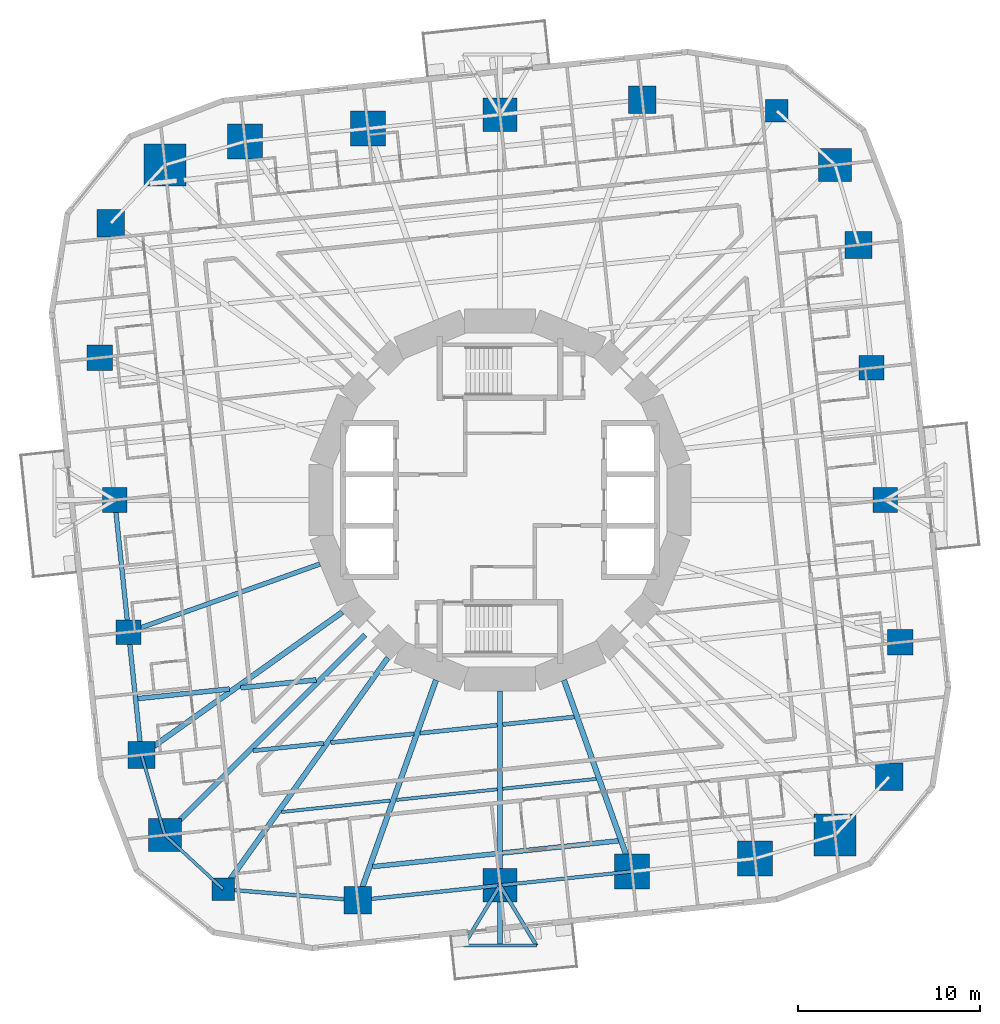
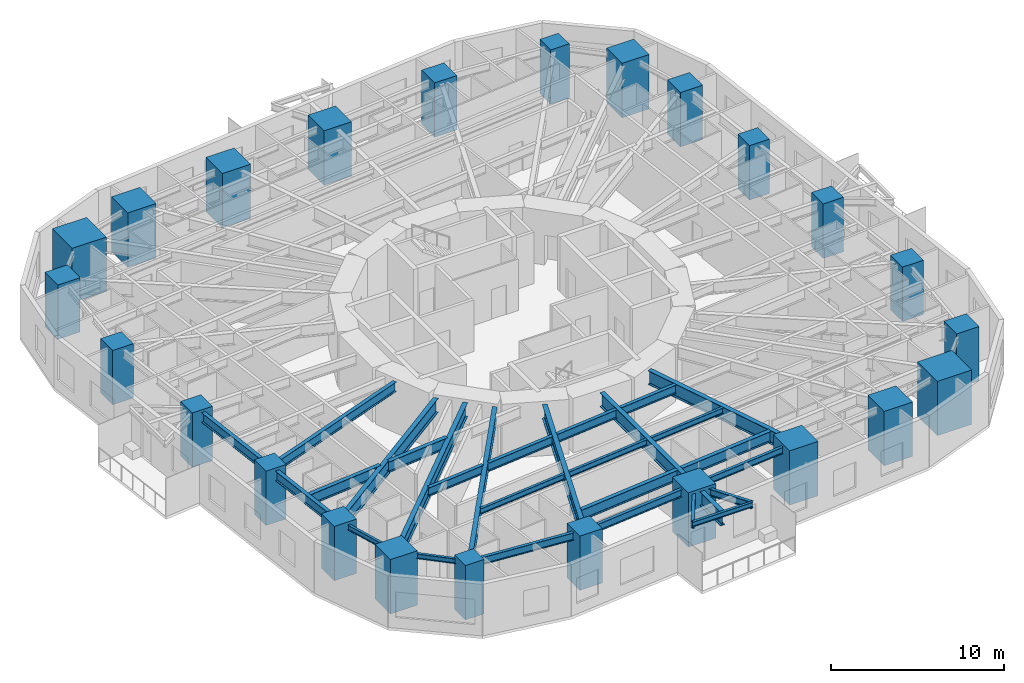
# One storey, part 1 of 15: 28 beams, 24 columns.
"""IFC4 building model written with IfcOpenShell, lengths in metres."""

from ifc_helpers import new_model, si_unit, direction, frame, origin, origin_2d, place, context, subcontext, project, spatial, rectangle, i_section, extrude, material, material_profile, profile_set, type_object, element, save


model = new_model("IFC4")

# Units and contexts
model_context = context("Model", 3, precision=1e-05, world=origin(), true_north=direction((0.0, 1.0)))
body_context = subcontext(model_context, "Body", "Model", "MODEL_VIEW")
ifc_project = project(units=[si_unit("LENGTHUNIT", "METRE"), si_unit("AREAUNIT", "SQUARE_METRE"), si_unit("VOLUMEUNIT", "CUBIC_METRE"), si_unit("PLANEANGLEUNIT", "RADIAN"), si_unit("MASSUNIT", "GRAM", prefix="KILO")], contexts=[model_context])

# Site, building, storey
site_placement = place(None, origin())
site = spatial("IfcSite", under=ifc_project, at=site_placement, CompositionType="ELEMENT")
building_placement = place(site_placement, origin())
building = spatial("IfcBuilding", under=site, at=building_placement, Name="Nakasero Lantern House", CompositionType="ELEMENT")
storey_placement = place(building_placement, frame((0.0, 0.0, 64.35009765625)))
storey = spatial("IfcBuildingStorey", under=building, at=storey_placement, Name="L15", CompositionType="ELEMENT", Elevation=64.35009765625)

# Columns
ifc_material_1 = material(Name="Concrete C50/60", Category="concrete")
ifc_material_profile_1 = material_profile(ifc_material_1, rectangle(XDim=1.800048828125, YDim=1.800048828125, at=origin_2d()), Name="RC 1800x1800")
ifc_profile_set_1 = profile_set([ifc_material_profile_1], Name="Concrete C50/60")
column_type_1 = type_object("IfcColumnType", Name="Mega column RC 1800x1800 C50/60", PredefinedType="COLUMN", material=ifc_profile_set_1)
for number, where, z_axis, x_axis, name in (
    (1, (18.359375, 18.359375, 0.0), (0.0, 0.0, 1.0), (1.0, 0.0, 0.0), "Column B2-C06 L15"),
    (2, (-18.359375, -18.359375, 0.0), (0.0, 0.0, 1.0), (1.0, 0.0, 0.0), "Column B2-C18 L15"),
):
    element("IfcColumn", number, at=place(storey_placement, frame(where, z_axis=z_axis, x_axis=x_axis)), inside=storey, type_object=column_type_1, Name=name, PredefinedType="COLUMN", context=body_context, shape_type="SweptSolid", body=[
        extrude(rectangle(XDim=1.800048828125, YDim=1.800048828125, at=origin_2d()), origin(), (0.0, 0.0, 1.0), 3.849853515625),
    ])
ifc_material_2 = material(Name="Concrete C50/60", Category="concrete")
ifc_material_profile_2 = material_profile(ifc_material_2, rectangle(XDim=2.300048828125, YDim=2.300048828125, at=origin_2d()), Name="RC 2300x2300")
ifc_profile_set_2 = profile_set([ifc_material_profile_2], Name="Concrete C50/60")
column_type_2 = type_object("IfcColumnType", Name="Mega column RC 2300x2300 C50/60", PredefinedType="COLUMN", material=ifc_profile_set_2)
for number, where, z_axis, x_axis, name in (
    (3, (-18.359375, 18.359375, 0.0), (0.0, 0.0, 1.0), (1.0, 0.0, 0.0), "Column B2-C12 L15"),
    (4, (18.359375, -18.359375, 0.0), (0.0, 0.0, 1.0), (1.0, 0.0, 0.0), "Column B2-C24 L15"),
):
    element("IfcColumn", number, at=place(storey_placement, frame(where, z_axis=z_axis, x_axis=x_axis)), inside=storey, type_object=column_type_2, Name=name, PredefinedType="COLUMN", context=body_context, shape_type="SweptSolid", body=[
        extrude(rectangle(XDim=2.300048828125, YDim=2.300048828125, at=origin_2d()), origin(), (0.0, 0.0, 1.0), 3.849853515625),
    ])
ifc_material_3 = material(Name="Concrete C50/60", Category="concrete")
ifc_material_profile_3 = material_profile(ifc_material_3, rectangle(XDim=1.25, YDim=1.25, at=origin_2d()), Name="RC 1250x1250")
ifc_profile_set_3 = profile_set([ifc_material_profile_3], Name="Concrete C50/60")
column_type_3 = type_object("IfcColumnType", Name="Ring column RC 1250x1250 C50/60", PredefinedType="COLUMN", material=ifc_profile_set_3)
for number, where, z_axis, x_axis, name in (
    (5, (15.16650390625, 21.327880859375, 0.0), (0.0, 0.0, 1.0), (1.0, 0.0, 0.0), "Column B2-C07 L15"),
    (6, (-15.16650390625, -21.327880859375, 0.0), (0.0, 0.0, 1.0), (1.0, 0.0, 0.0), "Column B2-C19 L15"),
):
    element("IfcColumn", number, at=place(storey_placement, frame(where, z_axis=z_axis, x_axis=x_axis)), inside=storey, type_object=column_type_3, Name=name, PredefinedType="COLUMN", context=body_context, shape_type="SweptSolid", body=[
        extrude(rectangle(XDim=1.25, YDim=1.25, at=origin_2d()), origin(), (0.0, 0.0, 1.0), 3.849853515625),
    ])
ifc_material_4 = material(Name="Concrete C50/60", Category="concrete")
ifc_material_profile_4 = material_profile(ifc_material_4, rectangle(XDim=1.35009765625, YDim=1.35009765625, at=origin_2d()), Name="RC 1350x1350")
ifc_profile_set_4 = profile_set([ifc_material_profile_4], Name="Concrete C50/60")
column_type_4 = type_object("IfcColumnType", Name="Ring column RC 1350x1350 C50/60", PredefinedType="COLUMN", material=ifc_profile_set_4)
for number, where, z_axis, x_axis, name in (
    (7, (21.11572265625, 0.0, 0.0), (0.0, 0.0, 1.0), (1.0, 0.0, 0.0), "Column B2-C03 L15"),
    (8, (20.35498046875, 7.2373046875, 0.0), (0.0, 0.0, 1.0), (1.0, 0.0, 0.0), "Column B2-C04 L15"),
    (9, (-21.11572265625, 0.0, 0.0), (0.0, 0.0, 1.0), (1.0, 0.0, 0.0), "Column B2-C15 L15"),
    (10, (-20.35498046875, -7.2373046875, 0.0), (0.0, 0.0, 1.0), (1.0, 0.0, 0.0), "Column B2-C16 L15"),
):
    element("IfcColumn", number, at=place(storey_placement, frame(where, z_axis=z_axis, x_axis=x_axis)), inside=storey, type_object=column_type_4, Name=name, PredefinedType="COLUMN", context=body_context, shape_type="SweptSolid", body=[
        extrude(rectangle(XDim=1.35009765625, YDim=1.35009765625, at=origin_2d()), origin(), (0.0, 0.0, 1.0), 3.849853515625),
    ])
ifc_material_5 = material(Name="Concrete C50/60", Category="concrete")
ifc_material_profile_5 = material_profile(ifc_material_5, rectangle(XDim=1.39990234375, YDim=1.39990234375, at=origin_2d()), Name="RC 1400x1400")
ifc_profile_set_5 = profile_set([ifc_material_profile_5], Name="Concrete C50/60")
column_type_5 = type_object("IfcColumnType", Name="Ring column RC 1400x1400 C50/60", PredefinedType="COLUMN", material=ifc_profile_set_5)
for number, where, z_axis, x_axis, name in (
    (11, (21.935302734375, -7.79931640625, 0.0), (0.0, 0.0, 1.0), (1.0, 0.0, 0.0), "Column B2-C02 L15"),
    (12, (-21.935302734375, 7.79931640625, 0.0), (0.0, 0.0, 1.0), (1.0, 0.0, 0.0), "Column B2-C14 L15"),
):
    element("IfcColumn", number, at=place(storey_placement, frame(where, z_axis=z_axis, x_axis=x_axis)), inside=storey, type_object=column_type_5, Name=name, PredefinedType="COLUMN", context=body_context, shape_type="SweptSolid", body=[
        extrude(rectangle(XDim=1.39990234375, YDim=1.39990234375, at=origin_2d()), origin(), (0.0, 0.0, 1.0), 3.849853515625),
    ])
ifc_material_6 = material(Name="Concrete C50/60", Category="concrete")
ifc_material_profile_6 = material_profile(ifc_material_6, rectangle(XDim=1.5, YDim=1.5, at=origin_2d()), Name="RC 1500x1500")
ifc_profile_set_6 = profile_set([ifc_material_profile_6], Name="Concrete C50/60")
column_type_6 = type_object("IfcColumnType", Name="Ring column RC 1500x1500 C50/60", PredefinedType="COLUMN", material=ifc_profile_set_6)
for number, where, z_axis, x_axis, name in (
    (13, (21.327880859375, -15.16650390625, 0.0), (0.0, 0.0, 1.0), (1.0, 0.0, 0.0), "Column B2-C01 L15"),
    (14, (19.647216796875, 13.971435546875, 0.0), (0.0, 0.0, 1.0), (1.0, 0.0, 0.0), "Column B2-C05 L15"),
    (15, (7.79931640625, 21.935302734375, 0.0), (0.0, 0.0, 1.0), (1.0, 0.0, 0.0), "Column B2-C08 L15"),
    (16, (-21.327880859375, 15.16650390625, 0.0), (0.0, 0.0, 1.0), (1.0, 0.0, 0.0), "Column B2-C13 L15"),
    (17, (-19.647216796875, -13.971435546875, 0.0), (0.0, 0.0, 1.0), (1.0, 0.0, 0.0), "Column B2-C17 L15"),
    (18, (-7.79931640625, -21.935302734375, 0.0), (0.0, 0.0, 1.0), (1.0, 0.0, 0.0), "Column B2-C20 L15"),
):
    element("IfcColumn", number, at=place(storey_placement, frame(where, z_axis=z_axis, x_axis=x_axis)), inside=storey, type_object=column_type_6, Name=name, PredefinedType="COLUMN", context=body_context, shape_type="SweptSolid", body=[
        extrude(rectangle(XDim=1.5, YDim=1.5, at=origin_2d()), origin(), (0.0, 0.0, 1.0), 3.849853515625),
    ])
ifc_material_7 = material(Name="Concrete C50/60", Category="concrete")
ifc_material_profile_7 = material_profile(ifc_material_7, rectangle(XDim=1.85009765625, YDim=1.85009765625, at=origin_2d()), Name="RC 1850x1850")
ifc_profile_set_7 = profile_set([ifc_material_profile_7], Name="Concrete C50/60")
column_type_7 = type_object("IfcColumnType", Name="Ring column RC 1850x1850 C50/60", PredefinedType="COLUMN", material=ifc_profile_set_7)
for number, where, z_axis, x_axis, name in (
    (19, (0.0, 21.11572265625, 0.0), (0.0, 0.0, 1.0), (1.0, 0.0, 0.0), "Column B2-C09 L15"),
    (20, (0.0, -21.11572265625, 0.0), (0.0, 0.0, 1.0), (1.0, 0.0, 0.0), "Column B2-C21 L15"),
):
    element("IfcColumn", number, at=place(storey_placement, frame(where, z_axis=z_axis, x_axis=x_axis)), inside=storey, type_object=column_type_7, Name=name, PredefinedType="COLUMN", context=body_context, shape_type="SweptSolid", body=[
        extrude(rectangle(XDim=1.85009765625, YDim=1.85009765625, at=origin_2d()), origin(), (0.0, 0.0, 1.0), 3.849853515625),
    ])
ifc_material_8 = material(Name="Concrete C50/60", Category="concrete")
ifc_material_profile_8 = material_profile(ifc_material_8, rectangle(XDim=1.89990234375, YDim=1.89990234375, at=origin_2d()), Name="RC 1900x1900")
ifc_profile_set_8 = profile_set([ifc_material_profile_8], Name="Concrete C50/60")
column_type_8 = type_object("IfcColumnType", Name="Ring column RC 1900x1900 C50/60", PredefinedType="COLUMN", material=ifc_profile_set_8)
for number, where, z_axis, x_axis, name in (
    (21, (-7.2373046875, 20.35498046875, 0.0), (0.0, 0.0, 1.0), (1.0, 0.0, 0.0), "Column B2-C10 L15"),
    (22, (-13.971435546875, 19.647216796875, 0.0), (0.0, 0.0, 1.0), (1.0, 0.0, 0.0), "Column B2-C11 L15"),
    (23, (7.2373046875, -20.35498046875, 0.0), (0.0, 0.0, 1.0), (1.0, 0.0, 0.0), "Column B2-C22 L15"),
    (24, (13.971435546875, -19.647216796875, 0.0), (0.0, 0.0, 1.0), (1.0, 0.0, 0.0), "Column B2-C23 L15"),
):
    element("IfcColumn", number, at=place(storey_placement, frame(where, z_axis=z_axis, x_axis=x_axis)), inside=storey, type_object=column_type_8, Name=name, PredefinedType="COLUMN", context=body_context, shape_type="SweptSolid", body=[
        extrude(rectangle(XDim=1.89990234375, YDim=1.89990234375, at=origin_2d()), origin(), (0.0, 0.0, 1.0), 3.849853515625),
    ])

# Beams
ifc_material_9 = material(Name="Steel S355", Category="steel")
ifc_material_profile_9 = material_profile(ifc_material_9, i_section(OverallWidth=0.199462890625, OverallDepth=0.491943359375, WebThickness=0.01806640625, FlangeThickness=0.031982421875, FilletRadius=0.01025390625, at=origin_2d()), Name="UB 457x191x161")
ifc_profile_set_9 = profile_set([ifc_material_profile_9], Name="Steel S355")
beam_type_1 = type_object("IfcBeamType", Name="Balcony splay beam UB 457x191x161", PredefinedType="BEAM", material=ifc_profile_set_9)
for number, where, z_axis, x_axis, name in (
    (25, (0.0, -21.11572265625, 3.40380859375), (0.518296107317, -0.855201230787, 0.0), (0.855201230787, 0.518296107317, 0.0), "Balcony splay beam L16 B2-C21A"),
    (26, (0.0, -21.11572265625, 3.40380859375), (-0.518296107317, -0.855201230787, 0.0), (0.855201230787, -0.518296107317, 0.0), "Balcony splay beam L16 B2-C21B"),
):
    element("IfcBeam", number, at=place(storey_placement, frame(where, z_axis=z_axis, x_axis=x_axis)), inside=storey, type_object=beam_type_1, Name=name, PredefinedType="BEAM", context=body_context, shape_type="SweptSolid", body=[
        extrude(i_section(OverallWidth=0.199462890625, OverallDepth=0.491943359375, WebThickness=0.01806640625, FlangeThickness=0.031982421875, FilletRadius=0.01025390625, at=origin_2d()), origin(), (0.0, 0.0, 1.0), 3.85888671875),
    ])
ifc_material_10 = material(Name="Steel S355", Category="steel")
ifc_material_profile_10 = material_profile(ifc_material_10, i_section(OverallWidth=0.17138671875, OverallDepth=0.35498046875, WebThickness=0.00732421875, FlangeThickness=0.011474609375, FilletRadius=0.01025390625, at=origin_2d()), Name="UB 356x171x51")
ifc_profile_set_10 = profile_set([ifc_material_profile_10], Name="Steel S355")
beam_type_2 = type_object("IfcBeamType", Name="Balcony tie beam UB 356x171x51", PredefinedType="BEAM", material=ifc_profile_set_10)
beam_1_placement = place(storey_placement, frame((2.0, -24.415771484375, 3.472412109375), z_axis=(-1.0, 0.0, 0.0), x_axis=(0.0, -1.0, 0.0)))
element("IfcBeam", 27, at=beam_1_placement, inside=storey, type_object=beam_type_2, Name="Balcony tie beam L16 B2-C21", PredefinedType="BEAM", context=body_context, shape_type="SweptSolid", body=[
    extrude(i_section(OverallWidth=0.17138671875, OverallDepth=0.35498046875, WebThickness=0.00732421875, FlangeThickness=0.011474609375, FilletRadius=0.01025390625, at=origin_2d()), origin(), (0.0, 0.0, 1.0), 4.0),
])
ifc_material_11 = material(Name="Steel S355", Category="steel")
ifc_material_profile_11 = material_profile(ifc_material_11, i_section(OverallWidth=0.177978515625, OverallDepth=0.406494140625, WebThickness=0.0078125, FlangeThickness=0.0126953125, FilletRadius=0.01025390625, at=origin_2d()), Name="UB 406x178x60")
ifc_profile_set_11 = profile_set([ifc_material_profile_11], Name="Steel S355")
beam_type_3 = type_object("IfcBeamType", Name="Infill beam UB 406x178x60", PredefinedType="JOIST", material=ifc_profile_set_11)
beam_2_placement = place(storey_placement, frame((-11.9775390625, -17.095703125, 3.44677734375), z_axis=(0.994521729164, 0.104530044579, 0.0), x_axis=(-0.104530044579, 0.994521729164, 0.0)))
element("IfcBeam", 28, at=beam_2_placement, inside=storey, type_object=beam_type_3, Name="Infill beam L16 03.1", PredefinedType="JOIST", context=body_context, shape_type="SweptSolid", body=[
    extrude(i_section(OverallWidth=0.177978515625, OverallDepth=0.406494140625, WebThickness=0.0078125, FlangeThickness=0.0126953125, FilletRadius=0.01025390625, at=origin_2d()), origin(), (0.0, 0.0, 1.0), 5.99560546875),
])
beam_3_placement = place(storey_placement, frame((-5.68408203125, -16.43408203125, 3.44677734375), z_axis=(0.994524188375, 0.104506644464, 0.0), x_axis=(-0.104506644464, 0.994524188375, 0.0)))
element("IfcBeam", 29, at=beam_3_placement, inside=storey, type_object=beam_type_3, Name="Infill beam L16 03.2", PredefinedType="JOIST", context=body_context, shape_type="SweptSolid", body=[
    extrude(i_section(OverallWidth=0.177978515625, OverallDepth=0.406494140625, WebThickness=0.0078125, FlangeThickness=0.0126953125, FilletRadius=0.01025390625, at=origin_2d()), origin(), (0.0, 0.0, 1.0), 5.564697265625),
])
beam_4_placement = place(storey_placement, frame((0.14990234375, -15.821044921875, 3.44677734375), z_axis=(0.994522574566, 0.104522000929, 0.0), x_axis=(-0.104522000929, 0.994522574566, 0.0)))
element("IfcBeam", 30, at=beam_4_placement, inside=storey, type_object=beam_type_3, Name="Infill beam L16 03.3", PredefinedType="JOIST", context=body_context, shape_type="SweptSolid", body=[
    extrude(i_section(OverallWidth=0.177978515625, OverallDepth=0.406494140625, WebThickness=0.0078125, FlangeThickness=0.0126953125, FilletRadius=0.01025390625, at=origin_2d()), origin(), (0.0, 0.0, 1.0), 5.15283203125),
])
ifc_material_12 = material(Name="Steel S355", Category="steel")
ifc_material_profile_12 = material_profile(ifc_material_12, i_section(OverallWidth=0.22900390625, OverallDepth=0.6123046875, WebThickness=0.011962890625, FlangeThickness=0.01953125, FilletRadius=0.0126953125, at=origin_2d()), Name="UB 610x229x125")
ifc_profile_set_12 = profile_set([ifc_material_profile_12], Name="Steel S355")
beam_type_4 = type_object("IfcBeamType", Name="Infill beam UB 610x229x125", PredefinedType="JOIST", material=ifc_profile_set_12)
beam_5_placement = place(storey_placement, frame((-13.527099609375, -13.7392578125, 3.34375), z_axis=(0.99451886442, 0.10455729679, 0.0), x_axis=(-0.10455729679, 0.99451886442, 0.0)))
element("IfcBeam", 31, at=beam_5_placement, inside=storey, type_object=beam_type_4, Name="Infill beam L16 04.1", PredefinedType="JOIST", context=body_context, shape_type="SweptSolid", body=[
    extrude(i_section(OverallWidth=0.22900390625, OverallDepth=0.6123046875, WebThickness=0.011962890625, FlangeThickness=0.01953125, FilletRadius=0.0126953125, at=origin_2d()), origin(), (0.0, 0.0, 1.0), 3.8876953125),
])
beam_6_placement = place(storey_placement, frame((-9.272705078125, -13.2919921875, 3.34375), z_axis=(0.994522952874, 0.104518401282, 0.0), x_axis=(-0.104518401282, 0.994522952874, 0.0)))
element("IfcBeam", 32, at=beam_6_placement, inside=storey, type_object=beam_type_4, Name="Infill beam L16 04.2", PredefinedType="JOIST", context=body_context, shape_type="SweptSolid", body=[
    extrude(i_section(OverallWidth=0.22900390625, OverallDepth=0.6123046875, WebThickness=0.011962890625, FlangeThickness=0.01953125, FilletRadius=0.0126953125, at=origin_2d()), origin(), (0.0, 0.0, 1.0), 4.5830078125),
])
beam_7_placement = place(storey_placement, frame((-4.38427734375, -12.7783203125, 3.34375), z_axis=(0.994521465317, 0.104532554847, 0.0), x_axis=(-0.104532554847, 0.994521465317, 0.0)))
element("IfcBeam", 33, at=beam_7_placement, inside=storey, type_object=beam_type_4, Name="Infill beam L16 04.3", PredefinedType="JOIST", context=body_context, shape_type="SweptSolid", body=[
    extrude(i_section(OverallWidth=0.22900390625, OverallDepth=0.6123046875, WebThickness=0.011962890625, FlangeThickness=0.01953125, FilletRadius=0.0126953125, at=origin_2d()), origin(), (0.0, 0.0, 1.0), 4.2578125),
])
beam_8_placement = place(storey_placement, frame((0.14990234375, -12.3017578125, 3.34375), z_axis=(0.994521399206, 0.104533183829, 0.0), x_axis=(-0.104533183829, 0.994521399206, 0.0)))
element("IfcBeam", 34, at=beam_8_placement, inside=storey, type_object=beam_type_4, Name="Infill beam L16 04.4", PredefinedType="JOIST", context=body_context, shape_type="SweptSolid", body=[
    extrude(i_section(OverallWidth=0.22900390625, OverallDepth=0.6123046875, WebThickness=0.011962890625, FlangeThickness=0.01953125, FilletRadius=0.0126953125, at=origin_2d()), origin(), (0.0, 0.0, 1.0), 3.93994140625),
])
ifc_material_13 = material(Name="Steel S355", Category="steel")
ifc_material_profile_13 = material_profile(ifc_material_13, i_section(OverallWidth=0.2666015625, OverallDepth=0.76220703125, WebThickness=0.014404296875, FlangeThickness=0.021484375, FilletRadius=0.0166015625, at=origin_2d()), Name="UB 762x267x173")
ifc_profile_set_13 = profile_set([ifc_material_profile_13], Name="Steel S355")
beam_type_5 = type_object("IfcBeamType", Name="Infill beam UB 762x267x173", PredefinedType="JOIST", material=ifc_profile_set_13)
beam_9_placement = place(storey_placement, frame((-6.98388671875, -20.090087890625, 3.268798828125), z_axis=(0.994522182542, 0.10452573096, 0.0), x_axis=(-0.10452573096, 0.994522182542, 0.0)))
element("IfcBeam", 35, at=beam_9_placement, inside=storey, type_object=beam_type_5, Name="Infill beam L16 02.1", PredefinedType="JOIST", context=body_context, shape_type="SweptSolid", body=[
    extrude(i_section(OverallWidth=0.2666015625, OverallDepth=0.76220703125, WebThickness=0.014404296875, FlangeThickness=0.021484375, FilletRadius=0.0166015625, at=origin_2d()), origin(), (0.0, 0.0, 1.0), 6.87158203125),
])
beam_10_placement = place(storey_placement, frame((0.14990234375, -19.34033203125, 3.268798828125), z_axis=(0.994519733917, 0.104549026056, 0.0), x_axis=(-0.104549026056, 0.994519733917, 0.0)))
element("IfcBeam", 36, at=beam_10_placement, inside=storey, type_object=beam_type_5, Name="Infill beam L16 02.2", PredefinedType="JOIST", context=body_context, shape_type="SweptSolid", body=[
    extrude(i_section(OverallWidth=0.2666015625, OverallDepth=0.76220703125, WebThickness=0.014404296875, FlangeThickness=0.021484375, FilletRadius=0.0166015625, at=origin_2d()), origin(), (0.0, 0.0, 1.0), 6.36572265625),
])
beam_11_placement = place(storey_placement, frame((-19.843017578125, -10.8837890625, 3.268798828125), z_axis=(0.994520551882, 0.104541244898, 0.0), x_axis=(-0.104541244898, 0.994520551882, 0.0)))
element("IfcBeam", 37, at=beam_11_placement, inside=storey, type_object=beam_type_5, Name="Infill beam L16 05.1", PredefinedType="JOIST", context=body_context, shape_type="SweptSolid", body=[
    extrude(i_section(OverallWidth=0.2666015625, OverallDepth=0.76220703125, WebThickness=0.014404296875, FlangeThickness=0.021484375, FilletRadius=0.0166015625, at=origin_2d()), origin(), (0.0, 0.0, 1.0), 5.046630859375),
])
beam_12_placement = place(storey_placement, frame((-14.212646484375, -10.2919921875, 3.268798828125), z_axis=(0.994522134672, 0.104526186418, 0.0), x_axis=(-0.104526186418, 0.994522134672, 0.0)))
element("IfcBeam", 38, at=beam_12_placement, inside=storey, type_object=beam_type_5, Name="Infill beam L16 05.2", PredefinedType="JOIST", context=body_context, shape_type="SweptSolid", body=[
    extrude(i_section(OverallWidth=0.2666015625, OverallDepth=0.76220703125, WebThickness=0.014404296875, FlangeThickness=0.021484375, FilletRadius=0.0166015625, at=origin_2d()), origin(), (0.0, 0.0, 1.0), 4.166748046875),
])
ifc_material_14 = material(Name="Steel S355", Category="steel")
ifc_material_profile_14 = material_profile(ifc_material_14, i_section(OverallWidth=0.300048828125, OverallDepth=0.97998046875, WebThickness=0.0166015625, FlangeThickness=0.02587890625, FilletRadius=0.030029296875, at=origin_2d()), Name="UB 1016x305x249")
ifc_profile_set_14 = profile_set([ifc_material_profile_14], Name="Steel S355")
beam_type_6 = type_object("IfcBeamType", Name="Primary beam UB 1016x305x249, span 12 to 15 m", PredefinedType="BEAM", material=ifc_profile_set_14)
beam_13_placement = place(storey_placement, frame((-7.79931640625, -21.935302734375, 3.159912109375), z_axis=(0.335017564047, 0.942211882636, 0.0), x_axis=(-0.942211882636, 0.335017564047, 0.0)))
element("IfcBeam", 39, at=beam_13_placement, inside=storey, type_object=beam_type_6, Name="Primary beam L16 B2-C20", PredefinedType="BEAM", context=body_context, shape_type="SweptSolid", body=[
    extrude(i_section(OverallWidth=0.300048828125, OverallDepth=0.97998046875, WebThickness=0.0166015625, FlangeThickness=0.02587890625, FilletRadius=0.030029296875, at=origin_2d()), origin(), (0.0, 0.0, 1.0), 12.80908203125),
])
ifc_material_15 = material(Name="Steel S355", Category="steel")
ifc_material_profile_15 = material_profile(ifc_material_15, i_section(OverallWidth=0.300048828125, OverallDepth=0.97998046875, WebThickness=0.0166015625, FlangeThickness=0.02587890625, FilletRadius=0.030029296875, at=origin_2d()), Name="UB 1016x305x249")
ifc_profile_set_15 = profile_set([ifc_material_profile_15], Name="Steel S355")
beam_type_7 = type_object("IfcBeamType", Name="Primary beam UB 1016x305x249, span 9 to 12 m", PredefinedType="BEAM", material=ifc_profile_set_15)
beam_14_placement = place(storey_placement, frame((7.2373046875, -20.35498046875, 3.159912109375), z_axis=(-0.335009234979, 0.942214844119, 0.0), x_axis=(-0.942214844119, -0.335009234979, 0.0)))
element("IfcBeam", 40, at=beam_14_placement, inside=storey, type_object=beam_type_7, Name="Primary beam L16 B2-C22", PredefinedType="BEAM", context=body_context, shape_type="SweptSolid", body=[
    extrude(i_section(OverallWidth=0.300048828125, OverallDepth=0.97998046875, WebThickness=0.0166015625, FlangeThickness=0.02587890625, FilletRadius=0.030029296875, at=origin_2d()), origin(), (0.0, 0.0, 1.0), 11.1318359375),
])
ifc_material_16 = material(Name="Steel S355", Category="steel")
ifc_material_profile_16 = material_profile(ifc_material_16, i_section(OverallWidth=0.300048828125, OverallDepth=0.989990234375, WebThickness=0.0166015625, FlangeThickness=0.031005859375, FilletRadius=0.030029296875, at=origin_2d()), Name="UB 1016x305x272")
ifc_profile_set_16 = profile_set([ifc_material_profile_16], Name="Steel S355")
beam_type_8 = type_object("IfcBeamType", Name="Primary beam UB 1016x305x272, span 9 to 12 m", PredefinedType="BEAM", material=ifc_profile_set_16)
beam_15_placement = place(storey_placement, frame((0.0, -24.415771484375, 3.15478515625), z_axis=(0.0, 1.0, 0.0), x_axis=(-1.0, 0.0, 0.0)))
element("IfcBeam", 41, at=beam_15_placement, inside=storey, type_object=beam_type_8, Name="Primary beam L16 B2-C21", PredefinedType="BEAM", context=body_context, shape_type="SweptSolid", body=[
    extrude(i_section(OverallWidth=0.300048828125, OverallDepth=0.989990234375, WebThickness=0.0166015625, FlangeThickness=0.031005859375, FilletRadius=0.030029296875, at=origin_2d()), origin(), (0.0, 0.0, 1.0), 13.9580078125),
])
ifc_material_17 = material(Name="Steel S355", Category="steel")
ifc_material_profile_17 = material_profile(ifc_material_17, i_section(OverallWidth=0.300048828125, OverallDepth=0.989990234375, WebThickness=0.0166015625, FlangeThickness=0.031005859375, FilletRadius=0.030029296875, at=origin_2d()), Name="UB 1016x305x272")
ifc_profile_set_17 = profile_set([ifc_material_profile_17], Name="Steel S355")
beam_type_9 = type_object("IfcBeamType", Name="Primary beam UB 1016x305x272, span over 15 m", PredefinedType="BEAM", material=ifc_profile_set_17)
beam_16_placement = place(storey_placement, frame((-18.359375, -18.359375, 3.15478515625), z_axis=(0.707106781187, 0.707106781187, 0.0), x_axis=(-0.707106781187, 0.707106781187, 0.0)))
element("IfcBeam", 42, at=beam_16_placement, inside=storey, type_object=beam_type_9, Name="Primary beam L16 B2-C18", PredefinedType="BEAM", context=body_context, shape_type="SweptSolid", body=[
    extrude(i_section(OverallWidth=0.300048828125, OverallDepth=0.989990234375, WebThickness=0.0166015625, FlangeThickness=0.031005859375, FilletRadius=0.030029296875, at=origin_2d()), origin(), (0.0, 0.0, 1.0), 15.50634765625),
])
ifc_material_18 = material(Name="Steel S355", Category="steel")
ifc_material_profile_18 = material_profile(ifc_material_18, i_section(OverallWidth=0.302001953125, OverallDepth=1.008056640625, WebThickness=0.02099609375, FlangeThickness=0.0400390625, FilletRadius=0.030029296875, at=origin_2d()), Name="UB 1016x305x349")
ifc_profile_set_18 = profile_set([ifc_material_profile_18], Name="Steel S355")
beam_type_10 = type_object("IfcBeamType", Name="Primary beam UB 1016x305x349, span 12 to 15 m", PredefinedType="BEAM", material=ifc_profile_set_18)
beam_17_placement = place(storey_placement, frame((-19.647216796875, -13.971435546875, 3.145751953125), z_axis=(0.814948492976, 0.579533393168, 0.0), x_axis=(-0.579533393168, 0.814948492976, 0.0)))
element("IfcBeam", 43, at=beam_17_placement, inside=storey, type_object=beam_type_10, Name="Primary beam L16 B2-C17", PredefinedType="BEAM", context=body_context, shape_type="SweptSolid", body=[
    extrude(i_section(OverallWidth=0.302001953125, OverallDepth=1.008056640625, WebThickness=0.02099609375, FlangeThickness=0.0400390625, FilletRadius=0.030029296875, at=origin_2d()), origin(), (0.0, 0.0, 1.0), 13.502685546875),
])
ifc_material_19 = material(Name="Steel S355", Category="steel")
ifc_material_profile_19 = material_profile(ifc_material_19, i_section(OverallWidth=0.253662109375, OverallDepth=0.68359375, WebThickness=0.012451171875, FlangeThickness=0.01904296875, FilletRadius=0.01513671875, at=origin_2d()), Name="UB 686x254x140")
ifc_profile_set_19 = profile_set([ifc_material_profile_19], Name="Steel S355")
beam_type_11 = type_object("IfcBeamType", Name="Primary beam UB 686x254x140, span 9 to 12 m", PredefinedType="BEAM", material=ifc_profile_set_19)
beam_18_placement = place(storey_placement, frame((-20.35498046875, -7.2373046875, 3.30810546875), z_axis=(0.942214844119, 0.335009234979, 0.0), x_axis=(-0.335009234979, 0.942214844119, 0.0)))
element("IfcBeam", 44, at=beam_18_placement, inside=storey, type_object=beam_type_11, Name="Primary beam L16 B2-C16", PredefinedType="BEAM", context=body_context, shape_type="SweptSolid", body=[
    extrude(i_section(OverallWidth=0.253662109375, OverallDepth=0.68359375, WebThickness=0.012451171875, FlangeThickness=0.01904296875, FilletRadius=0.01513671875, at=origin_2d()), origin(), (0.0, 0.0, 1.0), 11.1318359375),
])
ifc_material_20 = material(Name="Steel S355", Category="steel")
ifc_material_profile_20 = material_profile(ifc_material_20, i_section(OverallWidth=0.29248046875, OverallDepth=0.8408203125, WebThickness=0.0146484375, FlangeThickness=0.02685546875, FilletRadius=0.017822265625, at=origin_2d()), Name="UB 838x292x194")
ifc_profile_set_20 = profile_set([ifc_material_profile_20], Name="Steel S355")
beam_type_12 = type_object("IfcBeamType", Name="Primary beam UB 838x292x194, span over 15 m", PredefinedType="BEAM", material=ifc_profile_set_20)
beam_19_placement = place(storey_placement, frame((-15.16650390625, -21.327880859375, 3.2294921875), z_axis=(0.57952911085, 0.814951538239, 0.0), x_axis=(-0.814951538239, 0.57952911085, 0.0)))
element("IfcBeam", 45, at=beam_19_placement, inside=storey, type_object=beam_type_12, Name="Primary beam L16 B2-C19", PredefinedType="BEAM", context=body_context, shape_type="SweptSolid", body=[
    extrude(i_section(OverallWidth=0.29248046875, OverallDepth=0.8408203125, WebThickness=0.0146484375, FlangeThickness=0.02685546875, FilletRadius=0.017822265625, at=origin_2d()), origin(), (0.0, 0.0, 1.0), 15.564697265625),
])
ifc_material_21 = material(Name="Steel S355", Category="steel")
ifc_material_profile_21 = material_profile(ifc_material_21, i_section(OverallWidth=0.17138671875, OverallDepth=0.35498046875, WebThickness=0.00732421875, FlangeThickness=0.011474609375, FilletRadius=0.01025390625, at=origin_2d()), Name="UB 356x171x51")
ifc_profile_set_21 = profile_set([ifc_material_profile_21], Name="Steel S355")
beam_type_13 = type_object("IfcBeamType", Name="Ring beam UB 356x171x51", PredefinedType="BEAM", material=ifc_profile_set_21)
beam_20_placement = place(storey_placement, frame((-19.647216796875, -13.971435546875, 3.472412109375), z_axis=(0.28161710443, -0.959526865957, 0.0), x_axis=(0.959526865957, 0.28161710443, 0.0)))
element("IfcBeam", 46, at=beam_20_placement, inside=storey, type_object=beam_type_13, Name="Ring beam L16 B2-C17", PredefinedType="BEAM", context=body_context, shape_type="SweptSolid", body=[
    extrude(i_section(OverallWidth=0.17138671875, OverallDepth=0.35498046875, WebThickness=0.00732421875, FlangeThickness=0.011474609375, FilletRadius=0.01025390625, at=origin_2d()), origin(), (0.0, 0.0, 1.0), 4.572998046875),
])
beam_21_placement = place(storey_placement, frame((-18.359375, -18.359375, 3.472412109375), z_axis=(0.732370510336, -0.680906333933, 0.0), x_axis=(0.680906333933, 0.732370510336, 0.0)))
element("IfcBeam", 47, at=beam_21_placement, inside=storey, type_object=beam_type_13, Name="Ring beam L16 B2-C18", PredefinedType="BEAM", context=body_context, shape_type="SweptSolid", body=[
    extrude(i_section(OverallWidth=0.17138671875, OverallDepth=0.35498046875, WebThickness=0.00732421875, FlangeThickness=0.011474609375, FilletRadius=0.01025390625, at=origin_2d()), origin(), (0.0, 0.0, 1.0), 4.359619140625),
])
ifc_material_22 = material(Name="Steel S355", Category="steel")
ifc_material_profile_22 = material_profile(ifc_material_22, i_section(OverallWidth=0.19140625, OverallDepth=0.4599609375, WebThickness=0.010009765625, FlangeThickness=0.01611328125, FilletRadius=0.01025390625, at=origin_2d()), Name="UB 457x191x82")
ifc_profile_set_22 = profile_set([ifc_material_profile_22], Name="Steel S355")
beam_type_14 = type_object("IfcBeamType", Name="Ring beam UB 457x191x82", PredefinedType="BEAM", material=ifc_profile_set_22)
beam_22_placement = place(storey_placement, frame((0.0, -21.11572265625, 3.419921875), z_axis=(0.994520883746, 0.104538087767, 0.0), x_axis=(-0.104538087767, 0.994520883746, 0.0)))
element("IfcBeam", 48, at=beam_22_placement, inside=storey, type_object=beam_type_14, Name="Ring beam L16 B2-C21", PredefinedType="BEAM", context=body_context, shape_type="SweptSolid", body=[
    extrude(i_section(OverallWidth=0.19140625, OverallDepth=0.4599609375, WebThickness=0.010009765625, FlangeThickness=0.01611328125, FilletRadius=0.01025390625, at=origin_2d()), origin(), (0.0, 0.0, 1.0), 7.277099609375),
])
ifc_material_23 = material(Name="Steel S355", Category="steel")
ifc_material_profile_23 = material_profile(ifc_material_23, i_section(OverallWidth=0.208740234375, OverallDepth=0.5283203125, WebThickness=0.009521484375, FlangeThickness=0.01318359375, FilletRadius=0.0126953125, at=origin_2d()), Name="UB 533x210x82")
ifc_profile_set_23 = profile_set([ifc_material_profile_23], Name="Steel S355")
beam_type_15 = type_object("IfcBeamType", Name="Ring beam UB 533x210x82", PredefinedType="BEAM", material=ifc_profile_set_23)
beam_23_placement = place(storey_placement, frame((-15.16650390625, -21.327880859375, 3.3857421875), z_axis=(0.996618261264, -0.08217080574, 0.0), x_axis=(0.08217080574, 0.996618261264, 0.0)))
element("IfcBeam", 49, at=beam_23_placement, inside=storey, type_object=beam_type_15, Name="Ring beam L16 B2-C19", PredefinedType="BEAM", context=body_context, shape_type="SweptSolid", body=[
    extrude(i_section(OverallWidth=0.208740234375, OverallDepth=0.5283203125, WebThickness=0.009521484375, FlangeThickness=0.01318359375, FilletRadius=0.0126953125, at=origin_2d()), origin(), (0.0, 0.0, 1.0), 7.39208984375),
])
beam_24_placement = place(storey_placement, frame((-7.79931640625, -21.935302734375, 3.3857421875), z_axis=(0.994524030789, 0.104508144098, 0.0), x_axis=(-0.104508144098, 0.994524030789, 0.0)))
element("IfcBeam", 50, at=beam_24_placement, inside=storey, type_object=beam_type_15, Name="Ring beam L16 B2-C20", PredefinedType="BEAM", context=body_context, shape_type="SweptSolid", body=[
    extrude(i_section(OverallWidth=0.208740234375, OverallDepth=0.5283203125, WebThickness=0.009521484375, FlangeThickness=0.01318359375, FilletRadius=0.0126953125, at=origin_2d()), origin(), (0.0, 0.0, 1.0), 7.84228515625),
])
ifc_material_24 = material(Name="Steel S355", Category="steel")
ifc_material_profile_24 = material_profile(ifc_material_24, i_section(OverallWidth=0.253662109375, OverallDepth=0.68359375, WebThickness=0.012451171875, FlangeThickness=0.01904296875, FilletRadius=0.01513671875, at=origin_2d()), Name="UB 686x254x140")
ifc_profile_set_24 = profile_set([ifc_material_profile_24], Name="Steel S355")
beam_type_16 = type_object("IfcBeamType", Name="Ring beam UB 686x254x140", PredefinedType="BEAM", material=ifc_profile_set_24)
beam_25_placement = place(storey_placement, frame((-21.11572265625, 0.0, 3.30810546875), z_axis=(0.104538087767, -0.994520883746, 0.0), x_axis=(0.994520883746, 0.104538087767, 0.0)))
element("IfcBeam", 51, at=beam_25_placement, inside=storey, type_object=beam_type_16, Name="Ring beam L16 B2-C15", PredefinedType="BEAM", context=body_context, shape_type="SweptSolid", body=[
    extrude(i_section(OverallWidth=0.253662109375, OverallDepth=0.68359375, WebThickness=0.012451171875, FlangeThickness=0.01904296875, FilletRadius=0.01513671875, at=origin_2d()), origin(), (0.0, 0.0, 1.0), 7.277099609375),
])
ifc_material_25 = material(Name="Steel S355", Category="steel")
ifc_material_profile_25 = material_profile(ifc_material_25, i_section(OverallWidth=0.255859375, OverallDepth=0.69287109375, WebThickness=0.014404296875, FlangeThickness=0.023681640625, FilletRadius=0.01513671875, at=origin_2d()), Name="UB 686x254x170")
ifc_profile_set_25 = profile_set([ifc_material_profile_25], Name="Steel S355")
beam_type_17 = type_object("IfcBeamType", Name="Ring beam UB 686x254x170", PredefinedType="BEAM", material=ifc_profile_set_25)
beam_26_placement = place(storey_placement, frame((-20.35498046875, -7.2373046875, 3.303466796875), z_axis=(0.10452524939, -0.994522233155, 0.0), x_axis=(0.994522233155, 0.10452524939, 0.0)))
element("IfcBeam", 52, at=beam_26_placement, inside=storey, type_object=beam_type_17, Name="Ring beam L16 B2-C16", PredefinedType="BEAM", context=body_context, shape_type="SweptSolid", body=[
    extrude(i_section(OverallWidth=0.255859375, OverallDepth=0.69287109375, WebThickness=0.014404296875, FlangeThickness=0.023681640625, FilletRadius=0.01513671875, at=origin_2d()), origin(), (0.0, 0.0, 1.0), 6.771240234375),
])

save(model, "model.ifc")
